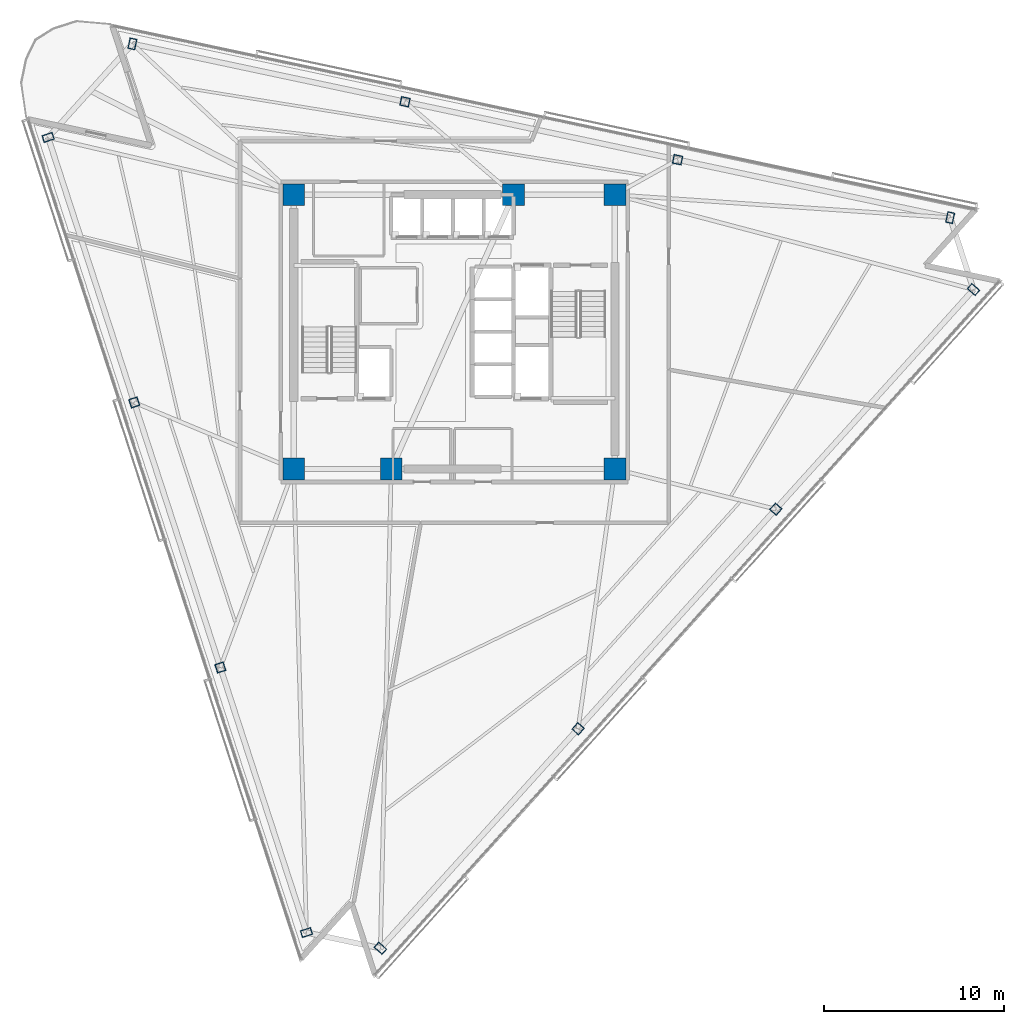
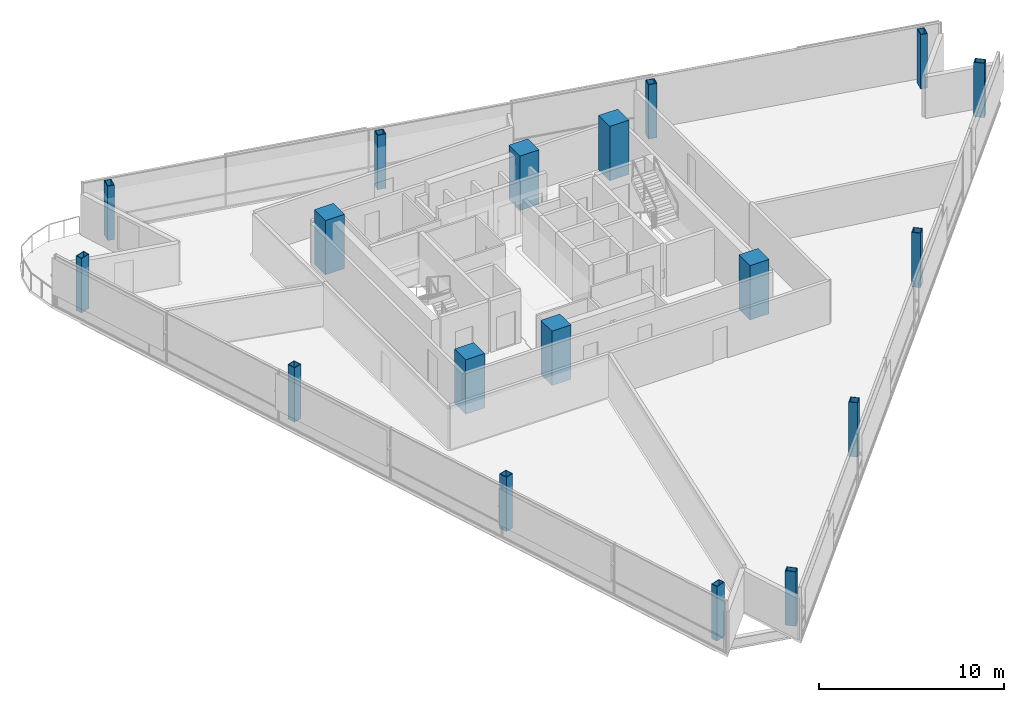
# One storey, part 1 of 16: 18 columns.
"""IFC4 building model written with IfcOpenShell, lengths in metres."""

import ifcopenshell
import ifcopenshell.guid

model = None  # the IFC model being written
_history = None  # IfcOwnerHistory: only IFC2X3 demands one
_inside = {}  # id of a spatial element -> (the spatial element, [elements in it])
_under = {}  # id of a project, library or spatial element -> (it, [spatial elements below it])
_declared = {}  # id of a project -> (the project, [libraries it declares])
_typed = {}  # id of a type object -> (the type object, [elements of that type])
_made_of = {}  # id of a material, layer set ... -> (it, [elements and type objects made of it])


def new_model(schema):
    """Start an empty IFC model of exactly this schema.

    Asked for "IFC4X3", IfcOpenShell would pick the latest addendum, in which some entities
    have other attributes; the version numbers below select the first issue.
    IFC2X3 requires an IfcOwnerHistory on every rooted entity: one is made here for all.
    """
    global model, _history
    if schema == "IFC4X3":
        model = ifcopenshell.file(schema_version=(4, 3, 0, 0))
    else:
        model = ifcopenshell.file(schema=schema)
    _inside.clear()
    _under.clear()
    _declared.clear()
    _typed.clear()
    _made_of.clear()
    _history = None
    if model.schema == "IFC2X3":
        org = make("IfcOrganization", Name="unknown")
        user = make(
            "IfcPersonAndOrganization",
            ThePerson=make("IfcPerson", FamilyName="unknown"),
            TheOrganization=org,
        )
        app = make(
            "IfcApplication",
            ApplicationDeveloper=org,
            Version="unknown",
            ApplicationFullName="unknown",
            ApplicationIdentifier="unknown",
        )
        _history = make(
            "IfcOwnerHistory",
            OwningUser=user,
            OwningApplication=app,
            ChangeAction="ADDED",
            CreationDate=0,
        )
    return model


def make(cls, **values):
    """One entity of the class cls with the attributes given. An attribute that is None is left unset."""
    return model.create_entity(
        cls, **{name: value for name, value in values.items() if value is not None}
    )


def rooted(cls, **values):
    """An entity with a GlobalId (a new one), such as an element, a storey or a relation."""
    return make(cls, GlobalId=ifcopenshell.guid.new(), OwnerHistory=_history, **values)


def si_unit(unit_type, name, prefix=None):
    """IfcSIUnit, for example si_unit("LENGTHUNIT", "METRE", prefix="MILLI")."""
    return make("IfcSIUnit", UnitType=unit_type, Prefix=prefix, Name=name)


def assignment(units):
    """IfcUnitAssignment: the units of a project."""
    return None if units is None else make("IfcUnitAssignment", Units=units)


def point(xyz):
    """IfcCartesianPoint."""
    return None if xyz is None else make("IfcCartesianPoint", Coordinates=xyz)


def direction(xyz):
    """IfcDirection."""
    return None if xyz is None else make("IfcDirection", DirectionRatios=xyz)


def frame(location, z_axis=None, x_axis=None):
    """IfcAxis2Placement3D, a coordinate frame: its origin and axes. An axis left out is left unset."""
    return make(
        "IfcAxis2Placement3D",
        Location=point(location),
        Axis=direction(z_axis),
        RefDirection=direction(x_axis),
    )


def frame_2d(location, x_axis=None):
    """IfcAxis2Placement2D, a coordinate frame in the plane: its origin and x axis."""
    return make(
        "IfcAxis2Placement2D", Location=point(location), RefDirection=direction(x_axis)
    )


def origin():
    """The frame at (0, 0, 0) with its axes left unset."""
    return frame((0.0, 0.0, 0.0))


def origin_2d():
    """The frame at (0, 0) in the plane with its x axis left unset."""
    return frame_2d((0.0, 0.0))


def place(relative_to, where):
    """IfcLocalPlacement: puts the frame where relative to a parent placement (None: the world)."""
    return make(
        "IfcLocalPlacement", PlacementRelTo=relative_to, RelativePlacement=where
    )


def context(
    kind, dimensions, precision=None, world=None, true_north=None, identifier=None
):
    """IfcGeometricRepresentationContext, for example the 3D "Model" context."""
    return make(
        "IfcGeometricRepresentationContext",
        ContextIdentifier=identifier,
        ContextType=kind,
        CoordinateSpaceDimension=dimensions,
        Precision=precision,
        WorldCoordinateSystem=world,
        TrueNorth=true_north,
    )


def subcontext(parent, identifier, kind, view, scale=None):
    """IfcGeometricRepresentationSubContext, for example "Body" below "Model"."""
    return make(
        "IfcGeometricRepresentationSubContext",
        ContextIdentifier=identifier,
        ContextType=kind,
        ParentContext=parent,
        TargetScale=scale,
        TargetView=view,
    )


def project(units=None, contexts=None):
    """IfcProject with its units and contexts."""
    return rooted(
        "IfcProject",
        Name="project",
        RepresentationContexts=contexts,
        UnitsInContext=assignment(units),
    )


def spatial(cls, under=None, at=None, **own):
    """A site, building, storey or space (cls), placed at a placement, below another one or the project."""
    s = rooted(cls, ObjectPlacement=at, **own)
    if under is not None:
        _under.setdefault(under.id(), (under, []))[1].append(s)
    return s


def profile(cls, at=None, kind="AREA", **sizes):
    """A parametric profile (cls). Its sizes go by their IFC names, for example OverallWidth=200.0."""
    return make(cls, ProfileType=kind, Position=at, **sizes)


def rectangle(**sizes):
    """IfcRectangleProfileDef."""
    return profile("IfcRectangleProfileDef", **sizes)


def hollow_rectangle(**sizes):
    """IfcRectangleHollowProfileDef."""
    return profile("IfcRectangleHollowProfileDef", **sizes)


def extrude(swept, where, along, depth):
    """IfcExtrudedAreaSolid: the profile swept, set in the frame where, extruded along a direction by depth."""
    return make(
        "IfcExtrudedAreaSolid",
        SweptArea=swept,
        Position=where,
        ExtrudedDirection=direction(along),
        Depth=depth,
    )


def shape(context_of_items, identifier, shape_type, items):
    """IfcShapeRepresentation: the items that make up one representation, for example the "Body"."""
    return make(
        "IfcShapeRepresentation",
        ContextOfItems=context_of_items,
        RepresentationIdentifier=identifier,
        RepresentationType=shape_type,
        Items=items,
    )


def material(Name=None, Category=None):
    """IfcMaterial."""
    return make("IfcMaterial", Name=Name, Category=Category)


def material_profile(
    of_material, cross_section, Name=None, Category=None, Priority=None
):
    """IfcMaterialProfile: a cross section and its material."""
    return make(
        "IfcMaterialProfile",
        Name=Name,
        Material=of_material,
        Profile=cross_section,
        Priority=Priority,
        Category=Category,
    )


def profile_set(profiles, Name=None, composite=None):
    """IfcMaterialProfileSet."""
    return make(
        "IfcMaterialProfileSet",
        Name=Name,
        MaterialProfiles=profiles,
        CompositeProfile=composite,
    )


def made_of(thing, what):
    """Note that an element or type object is made of a material, layer set ...; save() writes the relation."""
    if what is not None:
        _made_of.setdefault(what.id(), (what, []))[1].append(thing)
    return thing


def type_object(cls, material=None, **own):
    """A type object (cls), such as IfcWallType, which elements share."""
    return made_of(rooted(cls, **own), material)


def element(
    cls,
    number,
    at=None,
    inside=None,
    cuts=None,
    type_object=None,
    material=None,
    context=None,
    identifier="Body",
    shape_type=None,
    held_by="IfcProductDefinitionShape",
    body=None,
    shapes=None,
    **own,
):
    """One element of the class cls, such as IfcWall. Its Tag is "e" and its number.

    at: its placement. inside: the storey or other place that contains it. cuts: it is an
    opening in that element (IfcRelVoidsElement). A single representation is given by context,
    identifier, shape_type and body (its items); several are given by shapes. held_by: the class
    of the entity that holds the representations. save() writes the other relations.
    """
    e = rooted(cls, Tag="e%d" % number, ObjectPlacement=at, **own)
    if body is not None:
        shapes = [shape(context, identifier, shape_type, body)]
    if shapes is not None:
        e.Representation = make(held_by, Representations=shapes)
    if inside is not None:
        _inside.setdefault(inside.id(), (inside, []))[1].append(e)
    if cuts is not None:
        rooted(
            "IfcRelVoidsElement", RelatingBuildingElement=cuts, RelatedOpeningElement=e
        )
    if type_object is not None:
        _typed.setdefault(type_object.id(), (type_object, []))[1].append(e)
    return made_of(e, material)


def aggregate(whole, parts):
    """IfcRelAggregates: a whole, such as a stair, and the parts it consists of."""
    return rooted("IfcRelAggregates", RelatingObject=whole, RelatedObjects=parts)


def save(model, path):
    """Write the relations noted so far, then the file.

    IfcRelAggregates (storeys below a building ...), IfcRelContainedInSpatialStructure (elements
    in a storey), IfcRelDefinesByType, IfcRelAssociatesMaterial and IfcRelDeclares: one each for
    every whole, place, type object, material and project.
    """
    for whole, parts in _under.values():
        aggregate(whole, parts)
    for where, things in _inside.values():
        rooted(
            "IfcRelContainedInSpatialStructure",
            RelatedElements=things,
            RelatingStructure=where,
        )
    for kind, things in _typed.values():
        rooted("IfcRelDefinesByType", RelatedObjects=things, RelatingType=kind)
    for what, things in _made_of.values():
        rooted("IfcRelAssociatesMaterial", RelatedObjects=things, RelatingMaterial=what)
    for by, libraries in _declared.values():
        rooted("IfcRelDeclares", RelatingContext=by, RelatedDefinitions=libraries)
    model.write(path)


model = new_model("IFC4")

# Units and contexts
model_context = context("Model", 3, precision=1e-05, world=origin(), true_north=direction((0.0, 1.0)))
body_context = subcontext(model_context, "Body", "Model", "MODEL_VIEW")
ifc_project = project(units=[si_unit("LENGTHUNIT", "METRE"), si_unit("AREAUNIT", "SQUARE_METRE"), si_unit("VOLUMEUNIT", "CUBIC_METRE"), si_unit("PLANEANGLEUNIT", "RADIAN"), si_unit("MASSUNIT", "GRAM", prefix="KILO")], contexts=[model_context])

# Site, building, storey
site_placement = place(None, origin())
site = spatial("IfcSite", under=ifc_project, at=site_placement, CompositionType="ELEMENT")
building_placement = place(site_placement, origin())
building = spatial("IfcBuilding", under=site, at=building_placement, Name="Tharavind Bronze Gate", CompositionType="ELEMENT")
storey_placement = place(building_placement, frame((0.0, 0.0, 211.25)))
storey = spatial("IfcBuildingStorey", under=building, at=storey_placement, Name="L54", CompositionType="ELEMENT", Elevation=211.25)

# Columns
ifc_material_1 = material(Name="Steel S460", Category="steel")
ifc_material_profile_1 = material_profile(ifc_material_1, hollow_rectangle(XDim=0.39990234375, YDim=0.60009765625, WallThickness=0.030029296875, at=origin_2d()), Name="RHS600X400X30")
ifc_profile_set_1 = profile_set([ifc_material_profile_1], Name="Steel S460")
column_type_1 = type_object("IfcColumnType", Name="CORNER NOTCH COLUMN RHS600X400", PredefinedType="COLUMN", material=ifc_profile_set_1)
for number, where, z_axis, x_axis, name in (
    (1, (-22.515380859375, 10.77685546875, 0.0), (0.0, 0.0, 1.0), (-0.309016994375, 0.951056516295, 0.0), "L54 perimeter column S1C1"),
    (2, (-8.197021484375, -33.29150390625, 0.0), (0.0, 0.0, 1.0), (-0.309016994375, 0.951056516295, 0.0), "L54 perimeter column S1C4"),
    (3, (-4.100341796875, -34.162353515625, 0.0), (0.0, 0.0, 1.0), (0.669130606359, 0.743144825477, 0.0), "L54 perimeter column S2C1"),
    (4, (28.772705078125, 2.34716796875, 0.0), (0.0, 0.0, 1.0), (0.669130606359, 0.743144825477, 0.0), "L54 perimeter column S2C4"),
    (5, (27.478515625, 6.330078125, 0.0), (0.0, 0.0, 1.0), (-0.978147600734, 0.207911690818, 0.0), "L54 perimeter column S3C1"),
    (6, (-17.844970703125, 15.9638671875, 0.0), (0.0, 0.0, 1.0), (-0.978147600734, 0.207911690818, 0.0), "L54 perimeter column S3C4"),
):
    element("IfcColumn", number, at=place(storey_placement, frame(where, z_axis=z_axis, x_axis=x_axis)), inside=storey, type_object=column_type_1, Name=name, PredefinedType="COLUMN", context=body_context, shape_type="SweptSolid", body=[
        extrude(hollow_rectangle(XDim=0.39990234375, YDim=0.60009765625, WallThickness=0.030029296875, at=origin_2d()), origin(), (0.0, 0.0, 1.0), 3.60009765625),
    ])
ifc_material_2 = material(Name="Concrete C60/75", Category="concrete")
ifc_material_profile_2 = material_profile(ifc_material_2, rectangle(XDim=1.199951171875, YDim=1.199951171875, at=origin_2d()), Name="RCCOL1200")
ifc_profile_set_2 = profile_set([ifc_material_profile_2], Name="Concrete C60/75")
column_type_2 = type_object("IfcColumnType", Name="MEGA CORE COLUMN 1200", PredefinedType="COLUMN", material=ifc_profile_set_2)
for number, where, z_axis, x_axis, name in (
    (7, (-8.89990234375, -7.60009765625, 0.0), (0.0, 0.0, 1.0), (1.0, 0.0, 0.0), "L54 core mega column MC1"),
    (8, (-3.5, -7.60009765625, 0.0), (0.0, 0.0, 1.0), (1.0, 0.0, 0.0), "L54 core mega column MC2"),
    (9, (8.89990234375, -7.60009765625, 0.0), (0.0, 0.0, 1.0), (1.0, 0.0, 0.0), "L54 core mega column MC3"),
    (10, (8.89990234375, 7.60009765625, 0.0), (0.0, 0.0, 1.0), (1.0, 0.0, 0.0), "L54 core mega column MC4"),
    (11, (3.280029296875, 7.60009765625, 0.0), (0.0, 0.0, 1.0), (1.0, 0.0, 0.0), "L54 core mega column MC5"),
    (12, (-8.89990234375, 7.60009765625, 0.0), (0.0, 0.0, 1.0), (1.0, 0.0, 0.0), "L54 core mega column MC6"),
):
    element("IfcColumn", number, at=place(storey_placement, frame(where, z_axis=z_axis, x_axis=x_axis)), inside=storey, type_object=column_type_2, Name=name, PredefinedType="COLUMN", context=body_context, shape_type="SweptSolid", body=[
        extrude(rectangle(XDim=1.199951171875, YDim=1.199951171875, at=origin_2d()), origin(), (0.0, 0.0, 1.0), 3.60009765625),
    ])
ifc_material_profile_3 = material_profile(ifc_material_1, hollow_rectangle(XDim=0.5, YDim=0.5, WallThickness=0.031982421875, at=origin_2d()), Name="SHS500X32")
ifc_profile_set_3 = profile_set([ifc_material_profile_3], Name="Steel S460")
column_type_3 = type_object("IfcColumnType", Name="PERIMETER BOX COLUMN SHS500", PredefinedType="COLUMN", material=ifc_profile_set_3)
for number, where, z_axis, x_axis, name in (
    (13, (-17.74267578125, -3.91259765625, 0.0), (0.0, 0.0, 1.0), (-0.309016994375, 0.951056516295, 0.0), "L54 perimeter column S1C2"),
    (14, (-12.9697265625, -18.60205078125, 0.0), (0.0, 0.0, 1.0), (-0.309016994375, 0.951056516295, 0.0), "L54 perimeter column S1C3"),
    (15, (6.857421875, -21.992431640625, 0.0), (0.0, 0.0, 1.0), (0.669130606359, 0.743144825477, 0.0), "L54 perimeter column S2C2"),
    (16, (17.815185546875, -9.82275390625, 0.0), (0.0, 0.0, 1.0), (0.669130606359, 0.743144825477, 0.0), "L54 perimeter column S2C3"),
    (17, (12.370849609375, 9.54150390625, 0.0), (0.0, 0.0, 1.0), (-0.978147600734, 0.207911690818, 0.0), "L54 perimeter column S3C2"),
    (18, (-2.737060546875, 12.752685546875, 0.0), (0.0, 0.0, 1.0), (-0.978147600734, 0.207911690818, 0.0), "L54 perimeter column S3C3"),
):
    element("IfcColumn", number, at=place(storey_placement, frame(where, z_axis=z_axis, x_axis=x_axis)), inside=storey, type_object=column_type_3, Name=name, PredefinedType="COLUMN", context=body_context, shape_type="SweptSolid", body=[
        extrude(hollow_rectangle(XDim=0.5, YDim=0.5, WallThickness=0.031982421875, at=origin_2d()), origin(), (0.0, 0.0, 1.0), 3.60009765625),
    ])

save(model, "model.ifc")
